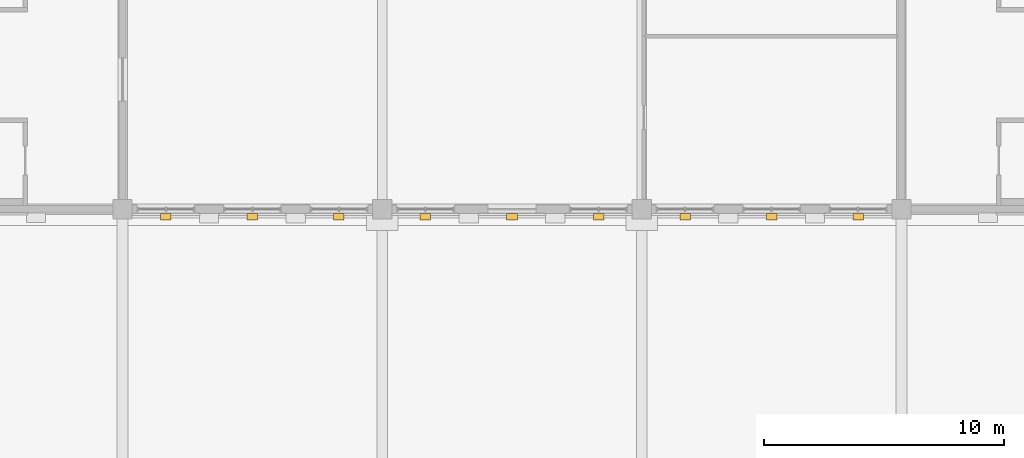
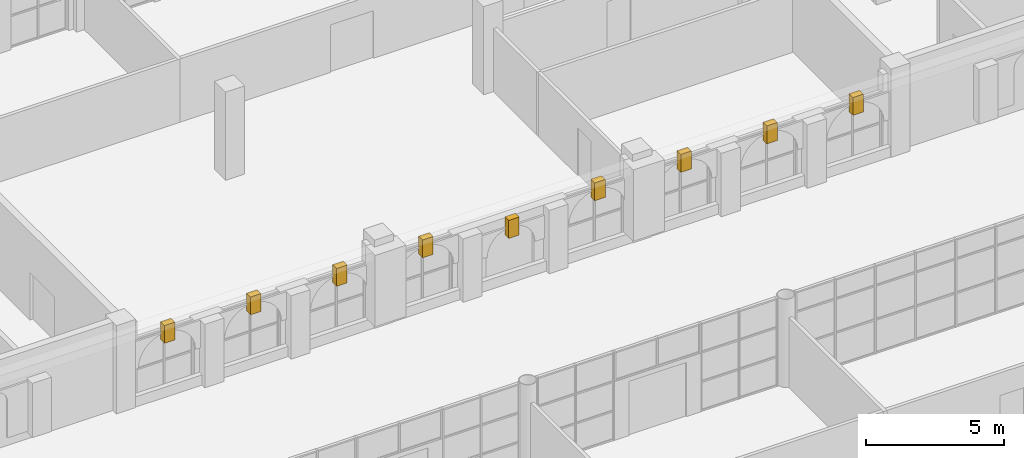
# One storey, part 93 of 95: 9 coverings.
"""IFC4 building model written with IfcOpenShell, lengths in metres."""

from ifc_helpers import new_model, si_unit, direction, frame, origin, origin_2d, place, context, subcontext, project, spatial, rectangle, extrude, material, layer, layer_set, type_object, element, save


model = new_model("IFC4")

# Units and contexts
model_context = context("Model", 3, precision=1e-05, world=origin(), true_north=direction((0.0, 1.0)))
body_context = subcontext(model_context, "Body", "Model", "MODEL_VIEW")
ifc_project = project(units=[si_unit("LENGTHUNIT", "METRE"), si_unit("AREAUNIT", "SQUARE_METRE"), si_unit("VOLUMEUNIT", "CUBIC_METRE"), si_unit("PLANEANGLEUNIT", "RADIAN"), si_unit("MASSUNIT", "GRAM", prefix="KILO")], contexts=[model_context])

# Site, building, storey
site_placement = place(None, origin())
site = spatial("IfcSite", under=ifc_project, at=site_placement, CompositionType="ELEMENT")
building_placement = place(site_placement, origin())
building = spatial("IfcBuilding", under=site, at=building_placement, Name="Magnolia Steps Interchange", CompositionType="ELEMENT")
storey_placement = place(building_placement, frame((0.0, 0.0, 4.800048828125)))
storey = spatial("IfcBuildingStorey", under=building, at=storey_placement, Name="L01", CompositionType="ELEMENT", Elevation=4.800048828125)

# Coverings
ifc_material = material(Name="Lime render")
ifc_layer = layer(ifc_material, 0.39990234375)
ifc_layer_set = layer_set([ifc_layer], Name="Lime render pilaster")
covering_type = type_object("IfcCoveringType", Name="Lime render pilaster", PredefinedType="CLADDING", material=ifc_layer_set)
for number, where, z_axis, x_axis, name in (
    (1, (94.60009765625, 96.0849609375, 2.4599609375), (0.0, 0.0, 1.0), (1.0, 0.0, 0.0), "Keystone g10"),
    (2, (98.199951171875, 96.0849609375, 2.4599609375), (0.0, 0.0, 1.0), (1.0, 0.0, 0.0), "Keystone g12"),
    (3, (101.800048828125, 96.0849609375, 2.4599609375), (0.0, 0.0, 1.0), (1.0, 0.0, 0.0), "Keystone g14"),
    (4, (105.39990234375, 96.0849609375, 2.4599609375), (0.0, 0.0, 1.0), (1.0, 0.0, 0.0), "Keystone g16"),
    (5, (76.60009765625, 96.0849609375, 2.4599609375), (0.0, 0.0, 1.0), (1.0, 0.0, 0.0), "Keystone g2"),
    (6, (80.199951171875, 96.0849609375, 2.4599609375), (0.0, 0.0, 1.0), (1.0, 0.0, 0.0), "Keystone g4"),
    (7, (83.800048828125, 96.0849609375, 2.4599609375), (0.0, 0.0, 1.0), (1.0, 0.0, 0.0), "Keystone g6"),
    (8, (87.39990234375, 96.0849609375, 2.4599609375), (0.0, 0.0, 1.0), (1.0, 0.0, 0.0), "Keystone g8"),
    (9, (91.0, 96.0849609375, 2.059814453125), (0.0, 0.0, 1.0), (1.0, 0.0, 0.0), "Keystone D00240"),
):
    element("IfcCovering", number, at=place(storey_placement, frame(where, z_axis=z_axis, x_axis=x_axis)), inside=storey, type_object=covering_type, Name=name, PredefinedType="CLADDING", context=body_context, shape_type="SweptSolid", body=[
        extrude(rectangle(XDim=0.43994140625, YDim=0.280029296875, at=origin_2d()), origin(), (0.0, 0.0, 1.0), 0.7900390625),
    ])

save(model, "model.ifc")
